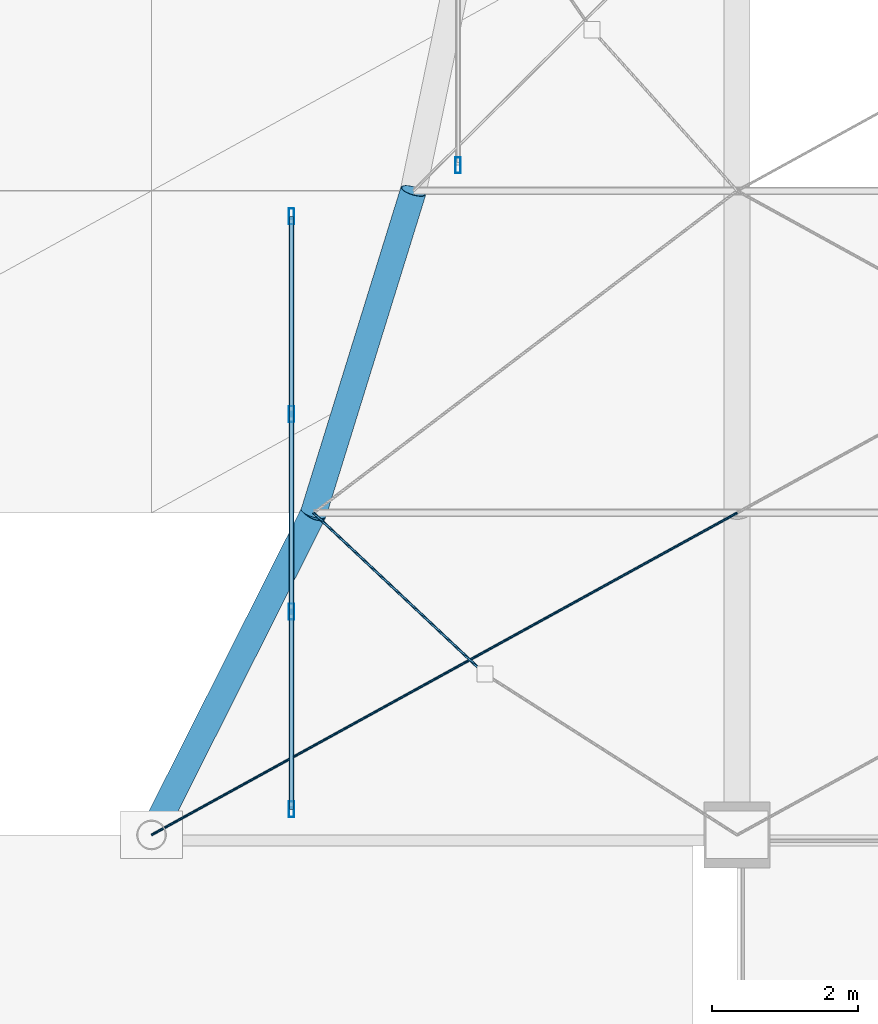
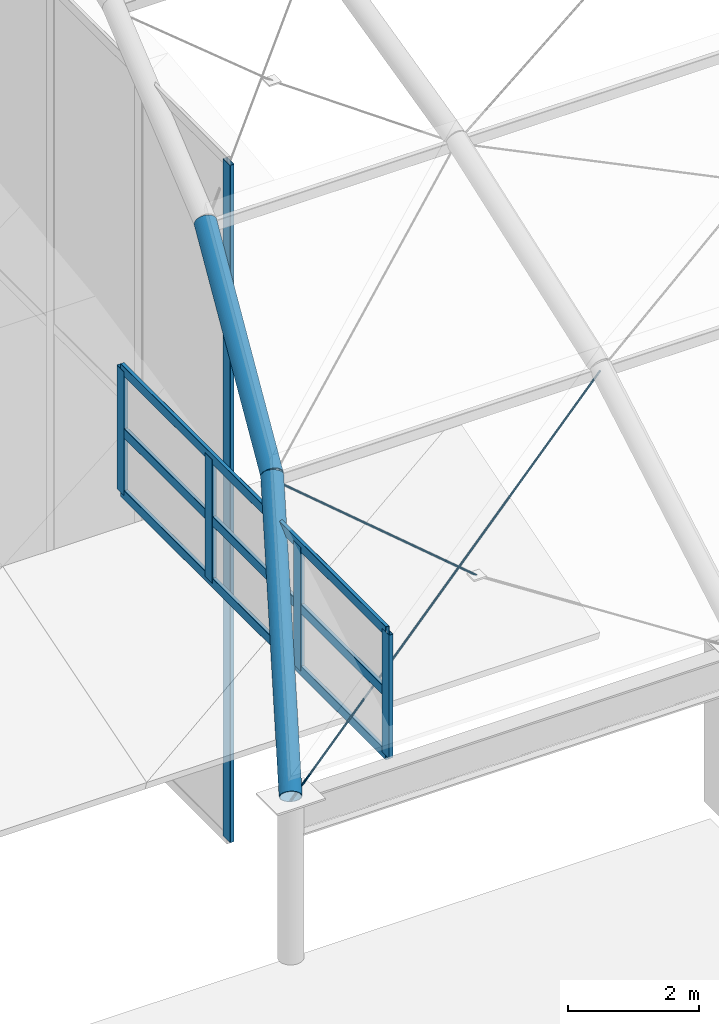
# One storey, part 9 of 163: 10 members, 2 beams, 2 elements without a shape of their own.
"""IFC4 building model written with IfcOpenShell, lengths in metres."""

import ifcopenshell
import ifcopenshell.guid

model = None  # the IFC model being written
_history = None  # IfcOwnerHistory: only IFC2X3 demands one
_inside = {}  # id of a spatial element -> (the spatial element, [elements in it])
_under = {}  # id of a project, library or spatial element -> (it, [spatial elements below it])
_declared = {}  # id of a project -> (the project, [libraries it declares])
_typed = {}  # id of a type object -> (the type object, [elements of that type])
_made_of = {}  # id of a material, layer set ... -> (it, [elements and type objects made of it])


def new_model(schema):
    """Start an empty IFC model of exactly this schema.

    Asked for "IFC4X3", IfcOpenShell would pick the latest addendum, in which some entities
    have other attributes; the version numbers below select the first issue.
    IFC2X3 requires an IfcOwnerHistory on every rooted entity: one is made here for all.
    """
    global model, _history
    if schema == "IFC4X3":
        model = ifcopenshell.file(schema_version=(4, 3, 0, 0))
    else:
        model = ifcopenshell.file(schema=schema)
    _inside.clear()
    _under.clear()
    _declared.clear()
    _typed.clear()
    _made_of.clear()
    _history = None
    if model.schema == "IFC2X3":
        org = make("IfcOrganization", Name="unknown")
        user = make(
            "IfcPersonAndOrganization",
            ThePerson=make("IfcPerson", FamilyName="unknown"),
            TheOrganization=org,
        )
        app = make(
            "IfcApplication",
            ApplicationDeveloper=org,
            Version="unknown",
            ApplicationFullName="unknown",
            ApplicationIdentifier="unknown",
        )
        _history = make(
            "IfcOwnerHistory",
            OwningUser=user,
            OwningApplication=app,
            ChangeAction="ADDED",
            CreationDate=0,
        )
    return model


def make(cls, **values):
    """One entity of the class cls with the attributes given. An attribute that is None is left unset."""
    return model.create_entity(
        cls, **{name: value for name, value in values.items() if value is not None}
    )


def rooted(cls, **values):
    """An entity with a GlobalId (a new one), such as an element, a storey or a relation."""
    return make(cls, GlobalId=ifcopenshell.guid.new(), OwnerHistory=_history, **values)


def si_unit(unit_type, name, prefix=None):
    """IfcSIUnit, for example si_unit("LENGTHUNIT", "METRE", prefix="MILLI")."""
    return make("IfcSIUnit", UnitType=unit_type, Prefix=prefix, Name=name)


def assignment(units):
    """IfcUnitAssignment: the units of a project."""
    return None if units is None else make("IfcUnitAssignment", Units=units)


def point(xyz):
    """IfcCartesianPoint."""
    return None if xyz is None else make("IfcCartesianPoint", Coordinates=xyz)


def direction(xyz):
    """IfcDirection."""
    return None if xyz is None else make("IfcDirection", DirectionRatios=xyz)


def frame(location, z_axis=None, x_axis=None):
    """IfcAxis2Placement3D, a coordinate frame: its origin and axes. An axis left out is left unset."""
    return make(
        "IfcAxis2Placement3D",
        Location=point(location),
        Axis=direction(z_axis),
        RefDirection=direction(x_axis),
    )


def frame_2d(location, x_axis=None):
    """IfcAxis2Placement2D, a coordinate frame in the plane: its origin and x axis."""
    return make(
        "IfcAxis2Placement2D", Location=point(location), RefDirection=direction(x_axis)
    )


def origin():
    """The frame at (0, 0, 0) with its axes left unset."""
    return frame((0.0, 0.0, 0.0))


def origin_2d():
    """The frame at (0, 0) in the plane with its x axis left unset."""
    return frame_2d((0.0, 0.0))


def place(relative_to, where):
    """IfcLocalPlacement: puts the frame where relative to a parent placement (None: the world)."""
    return make(
        "IfcLocalPlacement", PlacementRelTo=relative_to, RelativePlacement=where
    )


def context(
    kind, dimensions, precision=None, world=None, true_north=None, identifier=None
):
    """IfcGeometricRepresentationContext, for example the 3D "Model" context."""
    return make(
        "IfcGeometricRepresentationContext",
        ContextIdentifier=identifier,
        ContextType=kind,
        CoordinateSpaceDimension=dimensions,
        Precision=precision,
        WorldCoordinateSystem=world,
        TrueNorth=true_north,
    )


def subcontext(parent, identifier, kind, view, scale=None):
    """IfcGeometricRepresentationSubContext, for example "Body" below "Model"."""
    return make(
        "IfcGeometricRepresentationSubContext",
        ContextIdentifier=identifier,
        ContextType=kind,
        ParentContext=parent,
        TargetScale=scale,
        TargetView=view,
    )


def project(units=None, contexts=None):
    """IfcProject with its units and contexts."""
    return rooted(
        "IfcProject",
        Name="project",
        RepresentationContexts=contexts,
        UnitsInContext=assignment(units),
    )


def spatial(cls, under=None, at=None, **own):
    """A site, building, storey or space (cls), placed at a placement, below another one or the project."""
    s = rooted(cls, ObjectPlacement=at, **own)
    if under is not None:
        _under.setdefault(under.id(), (under, []))[1].append(s)
    return s


def profile(cls, at=None, kind="AREA", **sizes):
    """A parametric profile (cls). Its sizes go by their IFC names, for example OverallWidth=200.0."""
    return make(cls, ProfileType=kind, Position=at, **sizes)


def hollow_rectangle(**sizes):
    """IfcRectangleHollowProfileDef."""
    return profile("IfcRectangleHollowProfileDef", **sizes)


def circle(**sizes):
    """IfcCircleProfileDef."""
    return profile("IfcCircleProfileDef", **sizes)


def hollow_circle(**sizes):
    """IfcCircleHollowProfileDef."""
    return profile("IfcCircleHollowProfileDef", **sizes)


def extrude(swept, where, along, depth):
    """IfcExtrudedAreaSolid: the profile swept, set in the frame where, extruded along a direction by depth."""
    return make(
        "IfcExtrudedAreaSolid",
        SweptArea=swept,
        Position=where,
        ExtrudedDirection=direction(along),
        Depth=depth,
    )


def shape(context_of_items, identifier, shape_type, items):
    """IfcShapeRepresentation: the items that make up one representation, for example the "Body"."""
    return make(
        "IfcShapeRepresentation",
        ContextOfItems=context_of_items,
        RepresentationIdentifier=identifier,
        RepresentationType=shape_type,
        Items=items,
    )


def material(Name=None, Category=None):
    """IfcMaterial."""
    return make("IfcMaterial", Name=Name, Category=Category)


def material_profile(
    of_material, cross_section, Name=None, Category=None, Priority=None
):
    """IfcMaterialProfile: a cross section and its material."""
    return make(
        "IfcMaterialProfile",
        Name=Name,
        Material=of_material,
        Profile=cross_section,
        Priority=Priority,
        Category=Category,
    )


def profile_set(profiles, Name=None, composite=None):
    """IfcMaterialProfileSet."""
    return make(
        "IfcMaterialProfileSet",
        Name=Name,
        MaterialProfiles=profiles,
        CompositeProfile=composite,
    )


def made_of(thing, what):
    """Note that an element or type object is made of a material, layer set ...; save() writes the relation."""
    if what is not None:
        _made_of.setdefault(what.id(), (what, []))[1].append(thing)
    return thing


def type_object(cls, material=None, **own):
    """A type object (cls), such as IfcWallType, which elements share."""
    return made_of(rooted(cls, **own), material)


def element(
    cls,
    number,
    at=None,
    inside=None,
    cuts=None,
    type_object=None,
    material=None,
    context=None,
    identifier="Body",
    shape_type=None,
    held_by="IfcProductDefinitionShape",
    body=None,
    shapes=None,
    **own,
):
    """One element of the class cls, such as IfcWall. Its Tag is "e" and its number.

    at: its placement. inside: the storey or other place that contains it. cuts: it is an
    opening in that element (IfcRelVoidsElement). A single representation is given by context,
    identifier, shape_type and body (its items); several are given by shapes. held_by: the class
    of the entity that holds the representations. save() writes the other relations.
    """
    e = rooted(cls, Tag="e%d" % number, ObjectPlacement=at, **own)
    if body is not None:
        shapes = [shape(context, identifier, shape_type, body)]
    if shapes is not None:
        e.Representation = make(held_by, Representations=shapes)
    if inside is not None:
        _inside.setdefault(inside.id(), (inside, []))[1].append(e)
    if cuts is not None:
        rooted(
            "IfcRelVoidsElement", RelatingBuildingElement=cuts, RelatedOpeningElement=e
        )
    if type_object is not None:
        _typed.setdefault(type_object.id(), (type_object, []))[1].append(e)
    return made_of(e, material)


def aggregate(whole, parts):
    """IfcRelAggregates: a whole, such as a stair, and the parts it consists of."""
    return rooted("IfcRelAggregates", RelatingObject=whole, RelatedObjects=parts)


def save(model, path):
    """Write the relations noted so far, then the file.

    IfcRelAggregates (storeys below a building ...), IfcRelContainedInSpatialStructure (elements
    in a storey), IfcRelDefinesByType, IfcRelAssociatesMaterial and IfcRelDeclares: one each for
    every whole, place, type object, material and project.
    """
    for whole, parts in _under.values():
        aggregate(whole, parts)
    for where, things in _inside.values():
        rooted(
            "IfcRelContainedInSpatialStructure",
            RelatedElements=things,
            RelatingStructure=where,
        )
    for kind, things in _typed.values():
        rooted("IfcRelDefinesByType", RelatedObjects=things, RelatingType=kind)
    for what, things in _made_of.values():
        rooted("IfcRelAssociatesMaterial", RelatedObjects=things, RelatingMaterial=what)
    for by, libraries in _declared.values():
        rooted("IfcRelDeclares", RelatingContext=by, RelatedDefinitions=libraries)
    model.write(path)


model = new_model("IFC4")

# Units and contexts
model_context = context("Model", 3, precision=1e-05, world=origin(), true_north=direction((0.0, 1.0)))
body_context = subcontext(model_context, "Body", "Model", "MODEL_VIEW")
ifc_project = project(units=[si_unit("LENGTHUNIT", "METRE"), si_unit("AREAUNIT", "SQUARE_METRE"), si_unit("VOLUMEUNIT", "CUBIC_METRE"), si_unit("PLANEANGLEUNIT", "RADIAN"), si_unit("MASSUNIT", "GRAM", prefix="KILO")], contexts=[model_context])

# Site, building, storey
site_placement = place(None, origin())
site = spatial("IfcSite", under=ifc_project, at=site_placement, CompositionType="ELEMENT")
building_placement = place(site_placement, origin())
building = spatial("IfcBuilding", under=site, at=building_placement, Name="Varnabhumi Central Station", CompositionType="ELEMENT")
storey_placement = place(building_placement, frame((0.0, 0.0, 9.60009765625)))
storey = spatial("IfcBuildingStorey", under=building, at=storey_placement, Name="L02", CompositionType="ELEMENT", Elevation=9.60009765625)

# Beams
ifc_material_1 = material(Name="Structural steel E350", Category="steel")
ifc_material_profile_1 = material_profile(ifc_material_1, hollow_circle(Radius=0.177734375, WallThickness=0.012451171875, at=origin_2d()), Name="Structural steel E350", Category="steel")
ifc_profile_set_1 = profile_set([ifc_material_profile_1], Name="Structural steel E350")
beam_type = type_object("IfcBeamType", Name="BM-ARCH-CHS355", PredefinedType="BEAM", material=ifc_profile_set_1)
beam_1_placement = place(storey_placement, frame((16.0, 36.0, 3.0), z_axis=(0.399004919296, 0.792993676174, 0.46038690677), x_axis=(-0.893294210393, 0.449472417037, 0.0)))
element("IfcBeam", 1, at=beam_1_placement, inside=storey, type_object=beam_type, Name="Entrance Portico Vault Arch Rib 1 Seg 1", PredefinedType="BEAM", context=body_context, shape_type="SweptSolid", body=[
    extrude(hollow_circle(Radius=0.177734375, WallThickness=0.012451171875, at=origin_2d()), origin(), (0.0, 0.0, 1.0), 5.548583984375),
])
beam_2_placement = place(storey_placement, frame((18.2138671875, 40.39990234375, 5.554443359375), z_axis=(0.280110599815, 0.903927187192, 0.323192964227), x_axis=(-0.95518924728, 0.295995780173, 0.0)))
element("IfcBeam", 2, at=beam_2_placement, inside=storey, type_object=beam_type, Name="Entrance Portico Vault Arch Rib 1 Seg 2", PredefinedType="BEAM", context=body_context, shape_type="SweptSolid", body=[
    extrude(hollow_circle(Radius=0.177734375, WallThickness=0.012451171875, at=origin_2d()), origin(), (0.0, 0.0, 1.0), 4.867919921875),
])

# Curtain wall, members
ifc_material_2 = material(Name="Anodised aluminium 6063-T6", Category="aluminium")
curtain_wall_type = type_object("IfcCurtainWallType", Name="CW-VAULT-ARCH-V2", PredefinedType="NOTDEFINED", material=ifc_material_2)
curtain_wall_1_placement = place(storey_placement, origin())
curtain_wall_1 = element("IfcCurtainWall", 3, at=curtain_wall_1_placement, inside=storey, type_object=curtain_wall_type, Name="Curtain Wall CW-V21", PredefinedType="NOTDEFINED")
ifc_material_profile_2 = material_profile(ifc_material_2, hollow_rectangle(XDim=0.074951171875, YDim=0.219970703125, WallThickness=0.0048828125, InnerFilletRadius=0.0009765625, OuterFilletRadius=0.006103515625, at=origin_2d()), Name="Anodised aluminium 6063-T6", Category="aluminium")
ifc_profile_set_2 = profile_set([ifc_material_profile_2], Name="Anodised aluminium 6063-T6")
member_type_1 = type_object("IfcMemberType", Name="CW-MUL-220", PredefinedType="MULLION", material=ifc_profile_set_2)
member_1_placement = place(storey_placement, frame((17.910888671875, 36.35009765625, 2.89990234375), z_axis=(0.0, 0.0, 1.0), x_axis=(1.0, 0.0, 0.0)))
member_1 = element("IfcMember", 4, at=member_1_placement, type_object=member_type_1, Name="Curtain Wall Mullion CW-V21-M1", PredefinedType="MULLION", context=body_context, shape_type="SweptSolid", body=[
    extrude(hollow_rectangle(XDim=0.074951171875, YDim=0.219970703125, WallThickness=0.0048828125, InnerFilletRadius=0.0009765625, OuterFilletRadius=0.006103515625, at=origin_2d()), origin(), (0.0, 0.0, 1.0), 2.304443359375),
])
member_2_placement = place(storey_placement, frame((17.910888671875, 39.050048828125, 2.89990234375), z_axis=(0.0, 0.0, 1.0), x_axis=(1.0, 0.0, 0.0)))
member_2 = element("IfcMember", 5, at=member_2_placement, type_object=member_type_1, Name="Curtain Wall Mullion CW-V21-M2", PredefinedType="MULLION", context=body_context, shape_type="SweptSolid", body=[
    extrude(hollow_rectangle(XDim=0.074951171875, YDim=0.219970703125, WallThickness=0.0048828125, InnerFilletRadius=0.0009765625, OuterFilletRadius=0.006103515625, at=origin_2d()), origin(), (0.0, 0.0, 1.0), 2.304443359375),
])
member_3_placement = place(storey_placement, frame((17.910888671875, 41.75, 2.89990234375), z_axis=(0.0, 0.0, 1.0), x_axis=(1.0, 0.0, 0.0)))
member_3 = element("IfcMember", 6, at=member_3_placement, type_object=member_type_1, Name="Curtain Wall Mullion CW-V21-M3", PredefinedType="MULLION", context=body_context, shape_type="SweptSolid", body=[
    extrude(hollow_rectangle(XDim=0.074951171875, YDim=0.219970703125, WallThickness=0.0048828125, InnerFilletRadius=0.0009765625, OuterFilletRadius=0.006103515625, at=origin_2d()), origin(), (0.0, 0.0, 1.0), 2.304443359375),
])
member_4_placement = place(storey_placement, frame((17.910888671875, 44.449951171875, 2.89990234375), z_axis=(0.0, 0.0, 1.0), x_axis=(1.0, 0.0, 0.0)))
member_4 = element("IfcMember", 7, at=member_4_placement, type_object=member_type_1, Name="Curtain Wall Mullion CW-V21-M4", PredefinedType="MULLION", context=body_context, shape_type="SweptSolid", body=[
    extrude(hollow_rectangle(XDim=0.074951171875, YDim=0.219970703125, WallThickness=0.0048828125, InnerFilletRadius=0.0009765625, OuterFilletRadius=0.006103515625, at=origin_2d()), origin(), (0.0, 0.0, 1.0), 2.304443359375),
])

# Curtain wall, member
curtain_wall_2_placement = place(storey_placement, origin())
curtain_wall_2 = element("IfcCurtainWall", 8, at=curtain_wall_2_placement, inside=storey, type_object=curtain_wall_type, Name="Curtain Wall CW-V22", PredefinedType="NOTDEFINED")
member_5_placement = place(storey_placement, frame((20.18798828125, 45.14990234375, -4.800048828125), z_axis=(0.0, 0.0, 1.0), x_axis=(1.0, 0.0, 0.0)))
member_5 = element("IfcMember", 9, at=member_5_placement, type_object=member_type_1, Name="Curtain Wall Mullion CW-V22-M1", PredefinedType="MULLION", context=body_context, shape_type="SweptSolid", body=[
    extrude(hollow_rectangle(XDim=0.074951171875, YDim=0.219970703125, WallThickness=0.0048828125, InnerFilletRadius=0.0009765625, OuterFilletRadius=0.006103515625, at=origin_2d()), origin(), (0.0, 0.0, 1.0), 12.63232421875),
])
aggregate(curtain_wall_2, [member_5])

# Member
ifc_material_profile_3 = material_profile(ifc_material_2, hollow_rectangle(XDim=0.06494140625, YDim=0.179931640625, WallThickness=0.00390625, InnerFilletRadius=0.001953125, OuterFilletRadius=0.006103515625, at=origin_2d()), Name="Anodised aluminium 6063-T6", Category="aluminium")
ifc_profile_set_3 = profile_set([ifc_material_profile_3], Name="Anodised aluminium 6063-T6")
member_type_2 = type_object("IfcMemberType", Name="CW-TR-180", PredefinedType="USERDEFINED", material=ifc_profile_set_3)
member_6_placement = place(storey_placement, frame((17.910888671875, 36.35009765625, 2.89990234375), z_axis=(0.0, 1.0, 0.0), x_axis=(-1.0, 0.0, 0.0)))
member_6 = element("IfcMember", 10, at=member_6_placement, type_object=member_type_2, Name="Curtain Wall Transom CW-V21-T1", ObjectType="TRANSOM", PredefinedType="USERDEFINED", context=body_context, shape_type="SweptSolid", body=[
    extrude(hollow_rectangle(XDim=0.06494140625, YDim=0.179931640625, WallThickness=0.00390625, InnerFilletRadius=0.001953125, OuterFilletRadius=0.006103515625, at=origin_2d()), origin(), (0.0, 0.0, 1.0), 8.099853515625),
])

member_7_placement = place(storey_placement, frame((17.910888671875, 36.35009765625, 4.05224609375), z_axis=(0.0, 1.0, 0.0), x_axis=(-1.0, 0.0, 0.0)))
member_7 = element("IfcMember", 11, at=member_7_placement, type_object=member_type_2, Name="Curtain Wall Transom CW-V21-T2", ObjectType="TRANSOM", PredefinedType="USERDEFINED", context=body_context, shape_type="SweptSolid", body=[
    extrude(hollow_rectangle(XDim=0.06494140625, YDim=0.179931640625, WallThickness=0.00390625, InnerFilletRadius=0.001953125, OuterFilletRadius=0.006103515625, at=origin_2d()), origin(), (0.0, 0.0, 1.0), 8.099853515625),
])

member_8_placement = place(storey_placement, frame((17.910888671875, 36.35009765625, 5.204345703125), z_axis=(0.0, 1.0, 0.0), x_axis=(-1.0, 0.0, 0.0)))
member_8 = element("IfcMember", 12, at=member_8_placement, type_object=member_type_2, Name="Curtain Wall Transom CW-V21-T3", ObjectType="TRANSOM", PredefinedType="USERDEFINED", context=body_context, shape_type="SweptSolid", body=[
    extrude(hollow_rectangle(XDim=0.06494140625, YDim=0.179931640625, WallThickness=0.00390625, InnerFilletRadius=0.001953125, OuterFilletRadius=0.006103515625, at=origin_2d()), origin(), (0.0, 0.0, 1.0), 8.099853515625),
])

aggregate(curtain_wall_1, [member_1, member_2, member_3, member_4, member_6, member_7, member_8])

# Members
ifc_material_3 = material(Name="Spiral-strand steel S1570", Category="steel")
ifc_material_profile_4 = material_profile(ifc_material_3, circle(Radius=0.01806640625, at=origin_2d()), Name="Spiral-strand steel S1570", Category="steel")
ifc_profile_set_4 = profile_set([ifc_material_profile_4], Name="Spiral-strand steel S1570")
member_type_3 = type_object("IfcMemberType", Name="MBR-CABLE-D36", PredefinedType="USERDEFINED", material=ifc_profile_set_4)
member_9_placement = place(storey_placement, frame((16.0, 36.0, 2.919921875), z_axis=(0.843816502733, 0.464088776008, 0.269435182742), x_axis=(-0.481910537812, 0.876220425204, 0.0)))
element("IfcMember", 13, at=member_9_placement, inside=storey, type_object=member_type_3, Name="Entrance Portico Vault Cable-Net Tie B1-P1A", ObjectType="TENSION CABLE", PredefinedType="USERDEFINED", context=body_context, shape_type="SweptSolid", body=[
    extrude(circle(Radius=0.01806640625, at=origin_2d()), origin(), (0.0, 0.0, 1.0), 9.480712890625),
])
member_10_placement = place(storey_placement, frame((18.2138671875, 40.39990234375, 5.474365234375), z_axis=(0.676951641153, -0.636545052534, -0.369522491378), x_axis=(0.685030271388, 0.728514603342, 0.0)))
element("IfcMember", 14, at=member_10_placement, inside=storey, type_object=member_type_3, Name="Entrance Portico Vault Cable-Net Split Tie B1-P1B1", ObjectType="TENSION CABLE", PredefinedType="USERDEFINED", context=body_context, shape_type="SweptSolid", body=[
    extrude(circle(Radius=0.01806640625, at=origin_2d()), origin(), (0.0, 0.0, 1.0), 3.4560546875),
])

save(model, "model.ifc")
